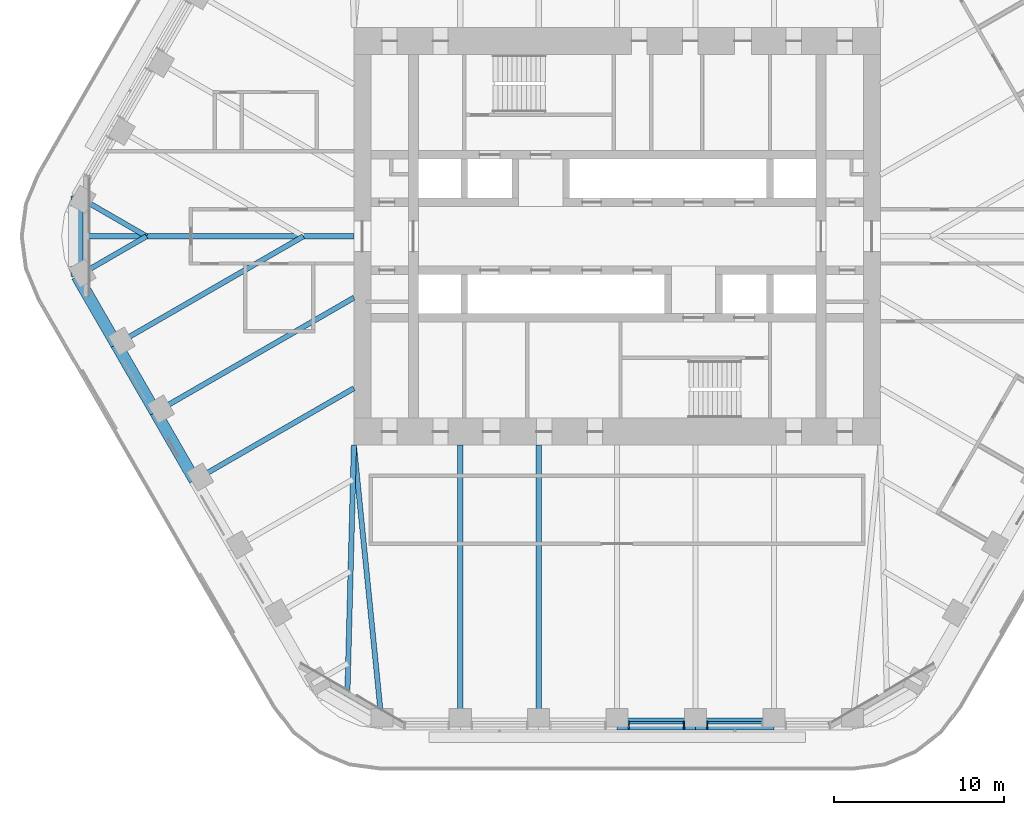
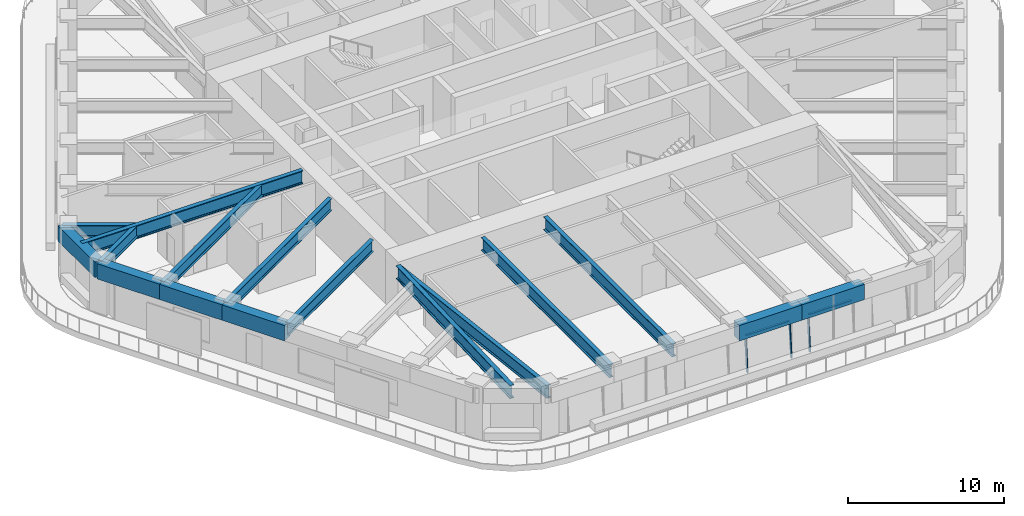
# One storey, part 3 of 20: 16 beams, 5 members, 2 elements without a shape of their own.
"""IFC4 building model written with IfcOpenShell, lengths in metres."""

from ifc_helpers import new_model, si_unit, direction, frame, origin, origin_2d, place, context, subcontext, project, spatial, rectangle, i_section, extrude, material, material_profile, profile_set, type_object, element, aggregate, save


model = new_model("IFC4")

# Units and contexts
model_context = context("Model", 3, precision=1e-05, world=origin(), true_north=direction((0.0, 1.0)))
body_context = subcontext(model_context, "Body", "Model", "MODEL_VIEW")
ifc_project = project(units=[si_unit("LENGTHUNIT", "METRE"), si_unit("AREAUNIT", "SQUARE_METRE"), si_unit("VOLUMEUNIT", "CUBIC_METRE"), si_unit("PLANEANGLEUNIT", "RADIAN"), si_unit("MASSUNIT", "GRAM", prefix="KILO")], contexts=[model_context])

# Site, building, storey
site_placement = place(None, origin())
site = spatial("IfcSite", under=ifc_project, at=site_placement, CompositionType="ELEMENT")
building_placement = place(site_placement, origin())
building = spatial("IfcBuilding", under=site, at=building_placement, Name="Tarfa Lantern Tower", CompositionType="ELEMENT")
storey_placement = place(building_placement, frame((0.0, 0.0, 236.5)))
storey = spatial("IfcBuildingStorey", under=building, at=storey_placement, Name="L53", CompositionType="ELEMENT", Elevation=236.5)

# Curtain wall, members
ifc_material_1 = material(Name="Aluminium framed curtain wall", Category="aluminium")
curtain_wall_type = type_object("IfcCurtainWallType", Name="CW3 CANTED GLAZING HIGH ZONE 2800", PredefinedType="USERDEFINED", material=ifc_material_1)
curtain_wall_1_placement = place(storey_placement, origin())
curtain_wall_1 = element("IfcCurtainWall", 1, at=curtain_wall_1_placement, inside=storey, type_object=curtain_wall_type, Name="CW3 S L53", ObjectType="CURTAIN WALL", PredefinedType="USERDEFINED")
ifc_material_2 = material(Name="Aluminium mullion", Category="aluminium")
ifc_material_profile_1 = material_profile(ifc_material_2, rectangle(XDim=0.06494140625, YDim=0.199951171875, at=origin_2d()), Name="AL MULLION 65x200")
ifc_profile_set_1 = profile_set([ifc_material_profile_1], Name="Aluminium mullion")
member_type_1 = type_object("IfcMemberType", Name="CWM1 MULLION 65x200", PredefinedType="MULLION", material=ifc_profile_set_1)
member_1_placement = place(storey_placement, frame((0.6826171875, -28.89990234375, 0.0), z_axis=(0.0, 0.088930399417, 0.996037842685), x_axis=(-1.0, 0.0, 0.0)))
member_1 = element("IfcMember", 2, at=member_1_placement, type_object=member_type_1, Name="CW3 mullion 1", PredefinedType="MULLION", context=body_context, shape_type="SweptSolid", body=[
    extrude(rectangle(XDim=0.06494140625, YDim=0.199951171875, at=origin_2d()), origin(), (0.0, 0.0, 1.0), 2.811279296875),
])
member_2_placement = place(storey_placement, frame((3.936279296875, -28.89990234375, 0.0), z_axis=(0.0, 0.088930399417, 0.996037842685), x_axis=(-1.0, 0.0, 0.0)))
member_2 = element("IfcMember", 3, at=member_2_placement, type_object=member_type_1, Name="CW3 mullion 2", PredefinedType="MULLION", context=body_context, shape_type="SweptSolid", body=[
    extrude(rectangle(XDim=0.06494140625, YDim=0.199951171875, at=origin_2d()), origin(), (0.0, 0.0, 1.0), 2.811279296875),
])

# Curtain wall, member
curtain_wall_2_placement = place(storey_placement, origin())
curtain_wall_2 = element("IfcCurtainWall", 4, at=curtain_wall_2_placement, inside=storey, type_object=curtain_wall_type, Name="CW3 S L53", ObjectType="CURTAIN WALL", PredefinedType="USERDEFINED")
member_3_placement = place(storey_placement, frame((5.30126953125, -28.89990234375, 0.0), z_axis=(0.0, 0.088930399417, 0.996037842685), x_axis=(-1.0, 0.0, 0.0)))
member_3 = element("IfcMember", 5, at=member_3_placement, type_object=member_type_1, Name="CW3 mullion 1", PredefinedType="MULLION", context=body_context, shape_type="SweptSolid", body=[
    extrude(rectangle(XDim=0.06494140625, YDim=0.199951171875, at=origin_2d()), origin(), (0.0, 0.0, 1.0), 2.811279296875),
])

# Member
ifc_material_3 = material(Name="Aluminium transom", Category="aluminium")
ifc_material_profile_2 = material_profile(ifc_material_3, rectangle(XDim=0.14990234375, YDim=0.06494140625, at=origin_2d()), Name="AL TRANSOM 150x65")
ifc_profile_set_2 = profile_set([ifc_material_profile_2], Name="Aluminium transom")
member_type_2 = type_object("IfcMemberType", Name="CWT1 TRANSOM 150x65", PredefinedType="USERDEFINED", material=ifc_profile_set_2)
member_4_placement = place(storey_placement, frame((0.715087890625, -28.65283203125, 2.767578125), z_axis=(1.0, 0.0, 0.0), x_axis=(0.0, 1.0, 0.0)))
member_4 = element("IfcMember", 6, at=member_4_placement, type_object=member_type_2, Name="CW3 transom 1.2", ObjectType="TRANSOM", PredefinedType="USERDEFINED", context=body_context, shape_type="SweptSolid", body=[
    extrude(rectangle(XDim=0.14990234375, YDim=0.06494140625, at=origin_2d()), origin(), (0.0, 0.0, 1.0), 3.188720703125),
])

aggregate(curtain_wall_1, [member_1, member_2, member_4])

member_5_placement = place(storey_placement, frame((5.333740234375, -28.65283203125, 2.767578125), z_axis=(1.0, 0.0, 0.0), x_axis=(0.0, 1.0, 0.0)))
member_5 = element("IfcMember", 7, at=member_5_placement, type_object=member_type_2, Name="CW3 transom 1.2", ObjectType="TRANSOM", PredefinedType="USERDEFINED", context=body_context, shape_type="SweptSolid", body=[
    extrude(rectangle(XDim=0.14990234375, YDim=0.06494140625, at=origin_2d()), origin(), (0.0, 0.0, 1.0), 3.18896484375),
])

aggregate(curtain_wall_2, [member_3, member_5])

# Beams
ifc_material_4 = material(Name="Concrete C80/95", Category="concrete")
ifc_material_profile_3 = material_profile(ifc_material_4, rectangle(XDim=0.699951171875, YDim=1.199951171875, at=origin_2d()), Name="RC 700x1200")
ifc_profile_set_3 = profile_set([ifc_material_profile_3], Name="Concrete C80/95")
beam_type_1 = type_object("IfcBeamType", Name="EB3 RC 700x1200", PredefinedType="SPANDREL", material=ifc_profile_set_3)
beam_1_placement = place(storey_placement, frame((-31.800537109375, 2.360107421875, 3.39990234375), z_axis=(0.0, -1.0, 0.0), x_axis=(1.0, 0.0, 0.0)))
element("IfcBeam", 8, at=beam_1_placement, inside=storey, type_object=beam_type_1, Name="Edge beam NW6", PredefinedType="SPANDREL", context=body_context, shape_type="SweptSolid", body=[
    extrude(rectangle(XDim=0.699951171875, YDim=1.199951171875, at=origin_2d()), origin(), (0.0, 0.0, 1.0), 4.72021484375),
])
beam_2_placement = place(storey_placement, frame((-31.800537109375, -2.360107421875, 3.39990234375), z_axis=(0.500027479704, -0.866009537788, 0.0), x_axis=(0.866009537788, 0.500027479704, 0.0)))
element("IfcBeam", 9, at=beam_2_placement, inside=storey, type_object=beam_type_1, Name="Edge beam SW0", PredefinedType="SPANDREL", context=body_context, shape_type="SweptSolid", body=[
    extrude(rectangle(XDim=0.699951171875, YDim=1.199951171875, at=origin_2d()), origin(), (0.0, 0.0, 1.0), 4.618896484375),
])
for number, where, z_axis, x_axis, name in (
    (10, (-29.490966796875, -6.360107421875, 3.39990234375), (0.499987836815, -0.866032426089, 0.0), (0.866032426089, 0.499987836815, 0.0), "Edge beam SW1"),
    (11, (-27.181640625, -10.360107421875, 3.39990234375), (0.499987836815, -0.866032426089, 0.0), (0.866032426089, 0.499987836815, 0.0), "Edge beam SW2"),
):
    element("IfcBeam", number, at=place(storey_placement, frame(where, z_axis=z_axis, x_axis=x_axis)), inside=storey, type_object=beam_type_1, Name=name, PredefinedType="SPANDREL", context=body_context, shape_type="SweptSolid", body=[
        extrude(rectangle(XDim=0.699951171875, YDim=1.199951171875, at=origin_2d()), origin(), (0.0, 0.0, 1.0), 4.61865234375),
    ])
beam_3_placement = place(storey_placement, frame((0.0, -28.719970703125, 3.39990234375), z_axis=(1.0, 0.0, 0.0), x_axis=(0.0, 1.0, 0.0)))
element("IfcBeam", 12, at=beam_3_placement, inside=storey, type_object=beam_type_1, Name="Edge beam S3", PredefinedType="SPANDREL", context=body_context, shape_type="SweptSolid", body=[
    extrude(rectangle(XDim=0.699951171875, YDim=1.199951171875, at=origin_2d()), origin(), (0.0, 0.0, 1.0), 4.618896484375),
])
beam_4_placement = place(storey_placement, frame((4.618896484375, -28.719970703125, 3.39990234375), z_axis=(1.0, 0.0, 0.0), x_axis=(0.0, 1.0, 0.0)))
element("IfcBeam", 13, at=beam_4_placement, inside=storey, type_object=beam_type_1, Name="Edge beam S4", PredefinedType="SPANDREL", context=body_context, shape_type="SweptSolid", body=[
    extrude(rectangle(XDim=0.699951171875, YDim=1.199951171875, at=origin_2d()), origin(), (0.0, 0.0, 1.0), 4.61865234375),
])
ifc_material_5 = material(Name="Steel S460M", Category="steel")
ifc_material_profile_4 = material_profile(ifc_material_5, i_section(OverallWidth=0.302001953125, OverallDepth=1.008056640625, WebThickness=0.02099609375, FlangeThickness=0.0400390625, FilletRadius=0.030029296875, at=origin_2d()), Name="UB1016x305x349")
ifc_profile_set_4 = profile_set([ifc_material_profile_4], Name="Steel S460M")
beam_type_2 = type_object("IfcBeamType", Name="UB1016x305x349", PredefinedType="BEAM", material=ifc_profile_set_4)
beam_5_placement = place(storey_placement, frame((-13.8564453125, -28.719970703125, 3.495849609375), z_axis=(-0.099597466746, 0.995027810977, 0.0), x_axis=(-0.995027810977, -0.099597466746, 0.0)))
element("IfcBeam", 14, at=beam_5_placement, inside=storey, type_object=beam_type_2, Name="Floor beam S0", PredefinedType="BEAM", context=body_context, shape_type="SweptSolid", body=[
    extrude(i_section(OverallWidth=0.302001953125, OverallDepth=1.008056640625, WebThickness=0.02099609375, FlangeThickness=0.0400390625, FilletRadius=0.030029296875, at=origin_2d()), origin(), (0.0, 0.0, 1.0), 16.501953125),
])
for number, where, z_axis, x_axis, name in (
    (15, (-9.237548828125, -28.719970703125, 3.495849609375), (0.0, 1.0, 0.0), (-1.0, 0.0, 0.0), "Floor beam S1"),
    (16, (-4.618896484375, -28.719970703125, 3.495849609375), (0.0, 1.0, 0.0), (-1.0, 0.0, 0.0), "Floor beam S2"),
):
    element("IfcBeam", number, at=place(storey_placement, frame(where, z_axis=z_axis, x_axis=x_axis)), inside=storey, type_object=beam_type_2, Name=name, PredefinedType="BEAM", context=body_context, shape_type="SweptSolid", body=[
        extrude(i_section(OverallWidth=0.302001953125, OverallDepth=1.008056640625, WebThickness=0.02099609375, FlangeThickness=0.0400390625, FilletRadius=0.030029296875, at=origin_2d()), origin(), (0.0, 0.0, 1.0), 16.419921875),
    ])
ifc_material_profile_5 = material_profile(ifc_material_5, i_section(OverallWidth=0.30859375, OverallDepth=1.036376953125, WebThickness=0.030029296875, FlangeThickness=0.05419921875, FilletRadius=0.030029296875, at=origin_2d()), Name="UB1016x305x487")
ifc_profile_set_5 = profile_set([ifc_material_profile_5], Name="Steel S460M")
beam_type_3 = type_object("IfcBeamType", Name="UB1016x305x487", PredefinedType="BEAM", material=ifc_profile_set_5)
beam_6_placement = place(storey_placement, frame((-15.5, 0.0, 3.48193359375), z_axis=(-1.0, 0.0, 0.0), x_axis=(0.0, -1.0, 0.0)))
element("IfcBeam", 17, at=beam_6_placement, inside=storey, type_object=beam_type_3, Name="Hip girder W", PredefinedType="BEAM", context=body_context, shape_type="SweptSolid", body=[
    extrude(i_section(OverallWidth=0.30859375, OverallDepth=1.036376953125, WebThickness=0.030029296875, FlangeThickness=0.05419921875, FilletRadius=0.030029296875, at=origin_2d()), origin(), (0.0, 0.0, 1.0), 16.300537109375),
])
beam_7_placement = place(storey_placement, frame((-15.5, -12.300048828125, 3.48193359375), z_axis=(-0.026247301989, -0.999655480222, 0.0), x_axis=(0.999655480222, -0.026247301989, 0.0)))
element("IfcBeam", 18, at=beam_7_placement, inside=storey, type_object=beam_type_3, Name="Hip girder SW", PredefinedType="BEAM", context=body_context, shape_type="SweptSolid", body=[
    extrude(i_section(OverallWidth=0.30859375, OverallDepth=1.036376953125, WebThickness=0.030029296875, FlangeThickness=0.05419921875, FilletRadius=0.030029296875, at=origin_2d()), origin(), (0.0, 0.0, 1.0), 15.245361328125),
])
ifc_material_profile_6 = material_profile(ifc_material_5, i_section(OverallWidth=0.305419921875, OverallDepth=0.91845703125, WebThickness=0.017333984375, FlangeThickness=0.02783203125, FilletRadius=0.01904296875, at=origin_2d()), Name="UB914x305x253")
ifc_profile_set_6 = profile_set([ifc_material_profile_6], Name="Steel S460M")
beam_type_4 = type_object("IfcBeamType", Name="UB914x305x253", PredefinedType="BEAM", material=ifc_profile_set_6)
for number, where, z_axis, x_axis, name in (
    (19, (-31.800537109375, 2.360107421875, 3.540771484375), (0.866015897305, -0.500016465344, 0.0), (0.500016465344, 0.866015897305, 0.0), "Floor beam NW6"),
    (20, (-31.800537109375, -2.360107421875, 3.540771484375), (0.866015897305, 0.500016465344, 0.0), (-0.500016465344, 0.866015897305, 0.0), "Floor beam SW0"),
):
    element("IfcBeam", number, at=place(storey_placement, frame(where, z_axis=z_axis, x_axis=x_axis)), inside=storey, type_object=beam_type_4, Name=name, PredefinedType="BEAM", context=body_context, shape_type="SweptSolid", body=[
        extrude(i_section(OverallWidth=0.305419921875, OverallDepth=0.91845703125, WebThickness=0.017333984375, FlangeThickness=0.02783203125, FilletRadius=0.01904296875, at=origin_2d()), origin(), (0.0, 0.0, 1.0), 4.719970703125),
    ])
beam_8_placement = place(storey_placement, frame((-29.490966796875, -6.360107421875, 3.540771484375), z_axis=(0.866022258038, 0.500005448553, 0.0), x_axis=(-0.500005448553, 0.866022258038, 0.0)))
element("IfcBeam", 21, at=beam_8_placement, inside=storey, type_object=beam_type_4, Name="Floor beam SW1", PredefinedType="BEAM", context=body_context, shape_type="SweptSolid", body=[
    extrude(i_section(OverallWidth=0.305419921875, OverallDepth=0.91845703125, WebThickness=0.017333984375, FlangeThickness=0.02783203125, FilletRadius=0.01904296875, at=origin_2d()), origin(), (0.0, 0.0, 1.0), 12.719970703125),
])
beam_9_placement = place(storey_placement, frame((-27.181640625, -10.360107421875, 3.540771484375), z_axis=(0.866018002818, 0.500012818631, 0.0), x_axis=(-0.500012818631, 0.866018002818, 0.0)))
element("IfcBeam", 22, at=beam_9_placement, inside=storey, type_object=beam_type_4, Name="Floor beam SW2", PredefinedType="BEAM", context=body_context, shape_type="SweptSolid", body=[
    extrude(i_section(OverallWidth=0.305419921875, OverallDepth=0.91845703125, WebThickness=0.017333984375, FlangeThickness=0.02783203125, FilletRadius=0.01904296875, at=origin_2d()), origin(), (0.0, 0.0, 1.0), 13.489013671875),
])
beam_10_placement = place(storey_placement, frame((-24.872314453125, -14.360107421875, 3.540771484375), z_axis=(0.8660244219, 0.500001700669, 0.0), x_axis=(-0.500001700669, 0.8660244219, 0.0)))
element("IfcBeam", 23, at=beam_10_placement, inside=storey, type_object=beam_type_4, Name="Floor beam SW3", PredefinedType="BEAM", context=body_context, shape_type="SweptSolid", body=[
    extrude(i_section(OverallWidth=0.305419921875, OverallDepth=0.91845703125, WebThickness=0.017333984375, FlangeThickness=0.02783203125, FilletRadius=0.01904296875, at=origin_2d()), origin(), (0.0, 0.0, 1.0), 10.822265625),
])

save(model, "model.ifc")
